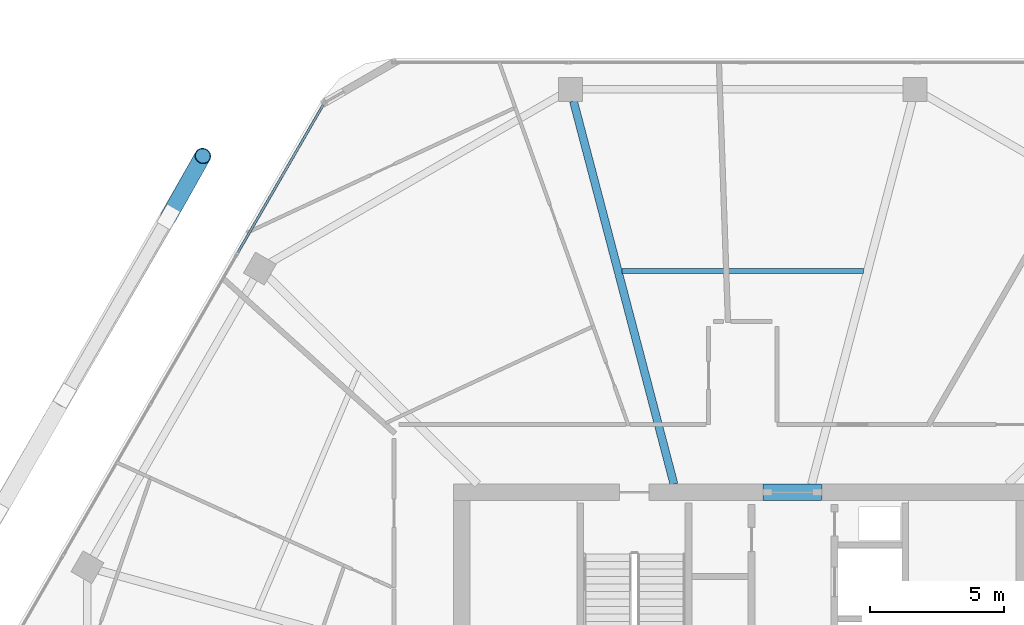
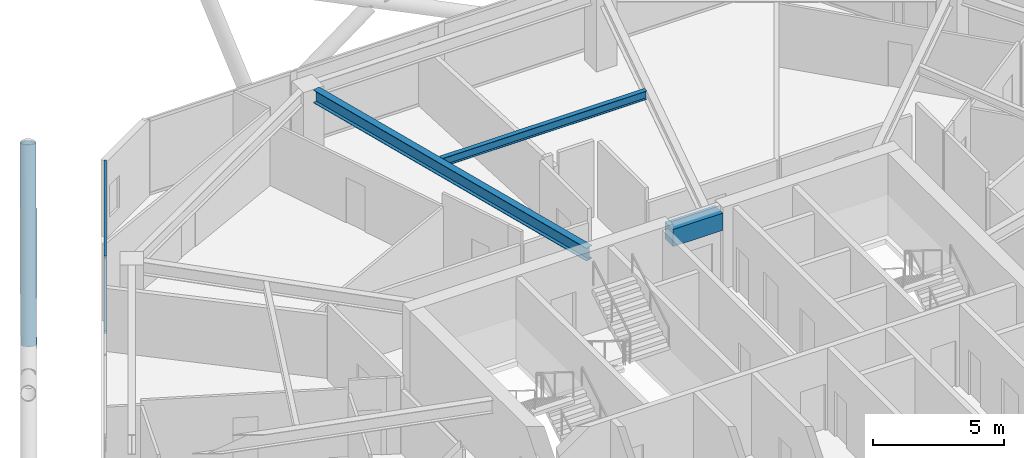
# One storey, part 14 of 27: 3 beams, 3 members, 1 element without a shape of its own.
"""IFC4 building model written with IfcOpenShell, lengths in metres."""

import ifcopenshell
import ifcopenshell.guid

model = None  # the IFC model being written
_history = None  # IfcOwnerHistory: only IFC2X3 demands one
_inside = {}  # id of a spatial element -> (the spatial element, [elements in it])
_under = {}  # id of a project, library or spatial element -> (it, [spatial elements below it])
_declared = {}  # id of a project -> (the project, [libraries it declares])
_typed = {}  # id of a type object -> (the type object, [elements of that type])
_made_of = {}  # id of a material, layer set ... -> (it, [elements and type objects made of it])


def new_model(schema):
    """Start an empty IFC model of exactly this schema.

    Asked for "IFC4X3", IfcOpenShell would pick the latest addendum, in which some entities
    have other attributes; the version numbers below select the first issue.
    IFC2X3 requires an IfcOwnerHistory on every rooted entity: one is made here for all.
    """
    global model, _history
    if schema == "IFC4X3":
        model = ifcopenshell.file(schema_version=(4, 3, 0, 0))
    else:
        model = ifcopenshell.file(schema=schema)
    _inside.clear()
    _under.clear()
    _declared.clear()
    _typed.clear()
    _made_of.clear()
    _history = None
    if model.schema == "IFC2X3":
        org = make("IfcOrganization", Name="unknown")
        user = make(
            "IfcPersonAndOrganization",
            ThePerson=make("IfcPerson", FamilyName="unknown"),
            TheOrganization=org,
        )
        app = make(
            "IfcApplication",
            ApplicationDeveloper=org,
            Version="unknown",
            ApplicationFullName="unknown",
            ApplicationIdentifier="unknown",
        )
        _history = make(
            "IfcOwnerHistory",
            OwningUser=user,
            OwningApplication=app,
            ChangeAction="ADDED",
            CreationDate=0,
        )
    return model


def make(cls, **values):
    """One entity of the class cls with the attributes given. An attribute that is None is left unset."""
    return model.create_entity(
        cls, **{name: value for name, value in values.items() if value is not None}
    )


def rooted(cls, **values):
    """An entity with a GlobalId (a new one), such as an element, a storey or a relation."""
    return make(cls, GlobalId=ifcopenshell.guid.new(), OwnerHistory=_history, **values)


def si_unit(unit_type, name, prefix=None):
    """IfcSIUnit, for example si_unit("LENGTHUNIT", "METRE", prefix="MILLI")."""
    return make("IfcSIUnit", UnitType=unit_type, Prefix=prefix, Name=name)


def assignment(units):
    """IfcUnitAssignment: the units of a project."""
    return None if units is None else make("IfcUnitAssignment", Units=units)


def point(xyz):
    """IfcCartesianPoint."""
    return None if xyz is None else make("IfcCartesianPoint", Coordinates=xyz)


def direction(xyz):
    """IfcDirection."""
    return None if xyz is None else make("IfcDirection", DirectionRatios=xyz)


def frame(location, z_axis=None, x_axis=None):
    """IfcAxis2Placement3D, a coordinate frame: its origin and axes. An axis left out is left unset."""
    return make(
        "IfcAxis2Placement3D",
        Location=point(location),
        Axis=direction(z_axis),
        RefDirection=direction(x_axis),
    )


def frame_2d(location, x_axis=None):
    """IfcAxis2Placement2D, a coordinate frame in the plane: its origin and x axis."""
    return make(
        "IfcAxis2Placement2D", Location=point(location), RefDirection=direction(x_axis)
    )


def origin():
    """The frame at (0, 0, 0) with its axes left unset."""
    return frame((0.0, 0.0, 0.0))


def origin_2d():
    """The frame at (0, 0) in the plane with its x axis left unset."""
    return frame_2d((0.0, 0.0))


def place(relative_to, where):
    """IfcLocalPlacement: puts the frame where relative to a parent placement (None: the world)."""
    return make(
        "IfcLocalPlacement", PlacementRelTo=relative_to, RelativePlacement=where
    )


def context(
    kind, dimensions, precision=None, world=None, true_north=None, identifier=None
):
    """IfcGeometricRepresentationContext, for example the 3D "Model" context."""
    return make(
        "IfcGeometricRepresentationContext",
        ContextIdentifier=identifier,
        ContextType=kind,
        CoordinateSpaceDimension=dimensions,
        Precision=precision,
        WorldCoordinateSystem=world,
        TrueNorth=true_north,
    )


def subcontext(parent, identifier, kind, view, scale=None):
    """IfcGeometricRepresentationSubContext, for example "Body" below "Model"."""
    return make(
        "IfcGeometricRepresentationSubContext",
        ContextIdentifier=identifier,
        ContextType=kind,
        ParentContext=parent,
        TargetScale=scale,
        TargetView=view,
    )


def project(units=None, contexts=None):
    """IfcProject with its units and contexts."""
    return rooted(
        "IfcProject",
        Name="project",
        RepresentationContexts=contexts,
        UnitsInContext=assignment(units),
    )


def spatial(cls, under=None, at=None, **own):
    """A site, building, storey or space (cls), placed at a placement, below another one or the project."""
    s = rooted(cls, ObjectPlacement=at, **own)
    if under is not None:
        _under.setdefault(under.id(), (under, []))[1].append(s)
    return s


def profile(cls, at=None, kind="AREA", **sizes):
    """A parametric profile (cls). Its sizes go by their IFC names, for example OverallWidth=200.0."""
    return make(cls, ProfileType=kind, Position=at, **sizes)


def rectangle(**sizes):
    """IfcRectangleProfileDef."""
    return profile("IfcRectangleProfileDef", **sizes)


def hollow_rectangle(**sizes):
    """IfcRectangleHollowProfileDef."""
    return profile("IfcRectangleHollowProfileDef", **sizes)


def hollow_circle(**sizes):
    """IfcCircleHollowProfileDef."""
    return profile("IfcCircleHollowProfileDef", **sizes)


def i_section(**sizes):
    """IfcIShapeProfileDef."""
    return profile("IfcIShapeProfileDef", **sizes)


def extrude(swept, where, along, depth):
    """IfcExtrudedAreaSolid: the profile swept, set in the frame where, extruded along a direction by depth."""
    return make(
        "IfcExtrudedAreaSolid",
        SweptArea=swept,
        Position=where,
        ExtrudedDirection=direction(along),
        Depth=depth,
    )


def shape(context_of_items, identifier, shape_type, items):
    """IfcShapeRepresentation: the items that make up one representation, for example the "Body"."""
    return make(
        "IfcShapeRepresentation",
        ContextOfItems=context_of_items,
        RepresentationIdentifier=identifier,
        RepresentationType=shape_type,
        Items=items,
    )


def material(Name=None, Category=None):
    """IfcMaterial."""
    return make("IfcMaterial", Name=Name, Category=Category)


def material_profile(
    of_material, cross_section, Name=None, Category=None, Priority=None
):
    """IfcMaterialProfile: a cross section and its material."""
    return make(
        "IfcMaterialProfile",
        Name=Name,
        Material=of_material,
        Profile=cross_section,
        Priority=Priority,
        Category=Category,
    )


def profile_set(profiles, Name=None, composite=None):
    """IfcMaterialProfileSet."""
    return make(
        "IfcMaterialProfileSet",
        Name=Name,
        MaterialProfiles=profiles,
        CompositeProfile=composite,
    )


def made_of(thing, what):
    """Note that an element or type object is made of a material, layer set ...; save() writes the relation."""
    if what is not None:
        _made_of.setdefault(what.id(), (what, []))[1].append(thing)
    return thing


def type_object(cls, material=None, **own):
    """A type object (cls), such as IfcWallType, which elements share."""
    return made_of(rooted(cls, **own), material)


def element(
    cls,
    number,
    at=None,
    inside=None,
    cuts=None,
    type_object=None,
    material=None,
    context=None,
    identifier="Body",
    shape_type=None,
    held_by="IfcProductDefinitionShape",
    body=None,
    shapes=None,
    **own,
):
    """One element of the class cls, such as IfcWall. Its Tag is "e" and its number.

    at: its placement. inside: the storey or other place that contains it. cuts: it is an
    opening in that element (IfcRelVoidsElement). A single representation is given by context,
    identifier, shape_type and body (its items); several are given by shapes. held_by: the class
    of the entity that holds the representations. save() writes the other relations.
    """
    e = rooted(cls, Tag="e%d" % number, ObjectPlacement=at, **own)
    if body is not None:
        shapes = [shape(context, identifier, shape_type, body)]
    if shapes is not None:
        e.Representation = make(held_by, Representations=shapes)
    if inside is not None:
        _inside.setdefault(inside.id(), (inside, []))[1].append(e)
    if cuts is not None:
        rooted(
            "IfcRelVoidsElement", RelatingBuildingElement=cuts, RelatedOpeningElement=e
        )
    if type_object is not None:
        _typed.setdefault(type_object.id(), (type_object, []))[1].append(e)
    return made_of(e, material)


def aggregate(whole, parts):
    """IfcRelAggregates: a whole, such as a stair, and the parts it consists of."""
    return rooted("IfcRelAggregates", RelatingObject=whole, RelatedObjects=parts)


def save(model, path):
    """Write the relations noted so far, then the file.

    IfcRelAggregates (storeys below a building ...), IfcRelContainedInSpatialStructure (elements
    in a storey), IfcRelDefinesByType, IfcRelAssociatesMaterial and IfcRelDeclares: one each for
    every whole, place, type object, material and project.
    """
    for whole, parts in _under.values():
        aggregate(whole, parts)
    for where, things in _inside.values():
        rooted(
            "IfcRelContainedInSpatialStructure",
            RelatedElements=things,
            RelatingStructure=where,
        )
    for kind, things in _typed.values():
        rooted("IfcRelDefinesByType", RelatedObjects=things, RelatingType=kind)
    for what, things in _made_of.values():
        rooted("IfcRelAssociatesMaterial", RelatedObjects=things, RelatingMaterial=what)
    for by, libraries in _declared.values():
        rooted("IfcRelDeclares", RelatingContext=by, RelatedDefinitions=libraries)
    model.write(path)


model = new_model("IFC4")

# Units and contexts
model_context = context("Model", 3, precision=1e-05, world=origin(), true_north=direction((0.0, 1.0)))
body_context = subcontext(model_context, "Body", "Model", "MODEL_VIEW")
ifc_project = project(units=[si_unit("LENGTHUNIT", "METRE"), si_unit("AREAUNIT", "SQUARE_METRE"), si_unit("VOLUMEUNIT", "CUBIC_METRE"), si_unit("PLANEANGLEUNIT", "RADIAN"), si_unit("MASSUNIT", "GRAM", prefix="KILO")], contexts=[model_context])

# Site, building, storey
site_placement = place(None, origin())
site = spatial("IfcSite", under=ifc_project, at=site_placement, CompositionType="ELEMENT")
building_placement = place(site_placement, origin())
building = spatial("IfcBuilding", under=site, at=building_placement, Name="Zuhravey Tower", CompositionType="ELEMENT")
storey_placement = place(building_placement, frame((0.0, 0.0, 238.800048828125)))
storey = spatial("IfcBuildingStorey", under=building, at=storey_placement, Name="L60", CompositionType="ELEMENT", Elevation=238.800048828125)

# Beam
ifc_material_1 = material(Name="Concrete C50/60", Category="concrete")
ifc_material_profile_1 = material_profile(ifc_material_1, rectangle(XDim=0.60009765625, YDim=0.800048828125, at=origin_2d()), Name="RC-600x800")
ifc_profile_set_1 = profile_set([ifc_material_profile_1], Name="Concrete C50/60")
beam_type_1 = type_object("IfcBeamType", Name="Core Coupling Beam RC600x800", PredefinedType="LINTEL", material=ifc_profile_set_1)
beam_1_placement = place(storey_placement, frame((36.751953125, 41.5, 3.14990234375), z_axis=(1.0, 0.0, 0.0), x_axis=(0.0, 1.0, 0.0)))
element("IfcBeam", 1, at=beam_1_placement, inside=storey, type_object=beam_type_1, Name="L60 CB2 BM-L60-CB-N", PredefinedType="LINTEL", context=body_context, shape_type="SweptSolid", body=[
    extrude(rectangle(XDim=0.60009765625, YDim=0.800048828125, at=origin_2d()), origin(), (0.0, 0.0, 1.0), 2.196044921875),
])

# Curtain wall, members
ifc_material_2 = material(Name="Thermally broken anodised aluminium", Category="aluminium")
curtain_wall_type = type_object("IfcCurtainWallType", Name="Zone 3-4 High-Rise Curtain Wall CW4", PredefinedType="NOTDEFINED", material=ifc_material_2)
curtain_wall_placement = place(storey_placement, origin())
curtain_wall = element("IfcCurtainWall", 2, at=curtain_wall_placement, inside=storey, type_object=curtain_wall_type, Name="L60 CW4 CW-L60-F3-1", PredefinedType="NOTDEFINED")
ifc_material_3 = material(Name="Anodised aluminium", Category="aluminium")
ifc_material_profile_2 = material_profile(ifc_material_3, hollow_rectangle(XDim=0.090087890625, YDim=0.14990234375, WallThickness=0.0048828125, at=origin_2d()), Name="ALU-RHS-90x150x5")
ifc_profile_set_2 = profile_set([ifc_material_profile_2], Name="Anodised aluminium")
member_type_1 = type_object("IfcMemberType", Name="Curtain-Wall Transom 90x150", PredefinedType="USERDEFINED", material=ifc_profile_set_2)
member_1_placement = place(storey_placement, frame((17.136962890625, 50.455322265625, 0.044921875), z_axis=(0.499980071345, 0.866036909293, 0.0), x_axis=(-0.866036909293, 0.499980071345, 0.0)))
member_1 = element("IfcMember", 3, at=member_1_placement, type_object=member_type_1, Name="CW4 transom 4.1", ObjectType="TRANSOM", PredefinedType="USERDEFINED", context=body_context, shape_type="SweptSolid", body=[
    extrude(hollow_rectangle(XDim=0.090087890625, YDim=0.14990234375, WallThickness=0.0048828125, at=origin_2d()), origin(), (0.0, 0.0, 1.0), 6.371337890625),
])
member_2_placement = place(storey_placement, frame((17.136962890625, 50.455322265625, 3.5048828125), z_axis=(0.499980071345, 0.866036909293, 0.0), x_axis=(-0.866036909293, 0.499980071345, 0.0)))
member_2 = element("IfcMember", 4, at=member_2_placement, type_object=member_type_1, Name="CW4 transom 4.2", ObjectType="TRANSOM", PredefinedType="USERDEFINED", context=body_context, shape_type="SweptSolid", body=[
    extrude(hollow_rectangle(XDim=0.090087890625, YDim=0.14990234375, WallThickness=0.0048828125, at=origin_2d()), origin(), (0.0, 0.0, 1.0), 6.371337890625),
])
aggregate(curtain_wall, [member_1, member_2])

# Member
ifc_material_4 = material(Name="Steel SM355", Category="steel")
ifc_material_profile_3 = material_profile(ifc_material_4, hollow_circle(Radius=0.3046875, WallThickness=0.028076171875, at=origin_2d()), Name="CHS-609.6x28")
ifc_profile_set_3 = profile_set([ifc_material_profile_3], Name="Steel SM355")
member_type_2 = type_object("IfcMemberType", Name="Exoskeleton Zone 3 Diagrid CHS610x28", PredefinedType="BRACE", material=ifc_profile_set_3)
member_3_placement = place(storey_placement, frame((14.548095703125, 51.79150390625, -0.446044921875), z_axis=(0.159795415744, 0.28422652237, 0.945346872364), x_axis=(-0.871682978645, 0.490070183485, 0.0)))
element("IfcMember", 5, at=member_3_placement, inside=storey, type_object=member_type_2, Name="L60 Face 3 Diagrid Brace 1", PredefinedType="BRACE", context=body_context, shape_type="SweptSolid", body=[
    extrude(hollow_circle(Radius=0.3046875, WallThickness=0.028076171875, at=origin_2d()), origin(), (0.0, 0.0, 1.0), 8.001220703125),
])

# Beams
ifc_material_profile_4 = material_profile(ifc_material_4, i_section(OverallWidth=0.300048828125, OverallDepth=0.60009765625, WebThickness=0.011962890625, FlangeThickness=0.02001953125, at=origin_2d()), Name="H-600x300x12x20")
ifc_profile_set_4 = profile_set([ifc_material_profile_4], Name="Steel SM355")
beam_type_2 = type_object("IfcBeamType", Name="Radial Primary Girder H600x300", PredefinedType="BEAM", material=ifc_profile_set_4)
beam_2_placement = place(storey_placement, frame((33.428466796875, 41.802978515625, 3.25), z_axis=(-0.253731415841, 0.967274712073, 0.0), x_axis=(-0.967274712073, -0.253731415841, 0.0)))
element("IfcBeam", 6, at=beam_2_placement, inside=storey, type_object=beam_type_2, Name="L60 RG3 BM-L60-RAD-04", PredefinedType="BEAM", context=body_context, shape_type="SweptSolid", body=[
    extrude(i_section(OverallWidth=0.300048828125, OverallDepth=0.60009765625, WebThickness=0.011962890625, FlangeThickness=0.02001953125, at=origin_2d()), origin(), (0.0, 0.0, 1.0), 14.796630859375),
])
ifc_material_profile_5 = material_profile(ifc_material_4, i_section(OverallWidth=0.199951171875, OverallDepth=0.39990234375, WebThickness=0.008056640625, FlangeThickness=0.012939453125, at=origin_2d()), Name="H-400x200x8x13")
ifc_profile_set_5 = profile_set([ifc_material_profile_5], Name="Steel SM355")
beam_type_3 = type_object("IfcBeamType", Name="Secondary Floor Joist H400x200", PredefinedType="JOIST", material=ifc_profile_set_5)
beam_3_placement = place(storey_placement, frame((40.507080078125, 49.768310546875, 3.349853515625), z_axis=(-1.0, 0.0, 0.0), x_axis=(0.0, -1.0, 0.0)))
element("IfcBeam", 7, at=beam_3_placement, inside=storey, type_object=beam_type_3, Name="L60 SJ2 BM-L60-SJ-03-1", PredefinedType="JOIST", context=body_context, shape_type="SweptSolid", body=[
    extrude(i_section(OverallWidth=0.199951171875, OverallDepth=0.39990234375, WebThickness=0.008056640625, FlangeThickness=0.012939453125, at=origin_2d()), origin(), (0.0, 0.0, 1.0), 9.01416015625),
])

save(model, "model.ifc")
